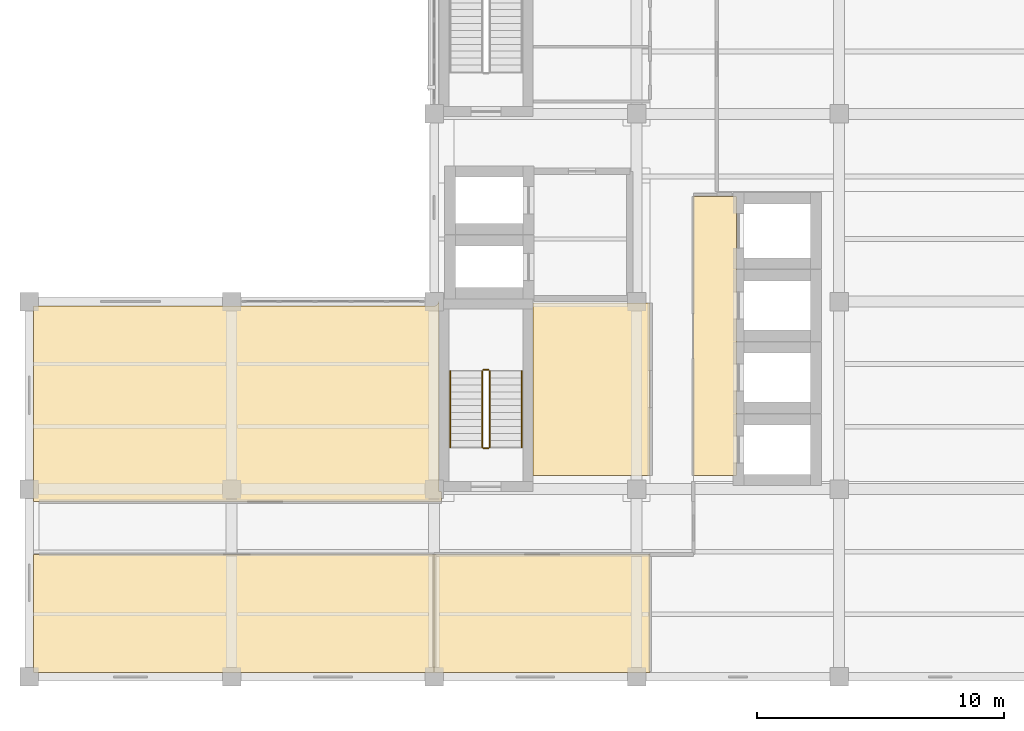
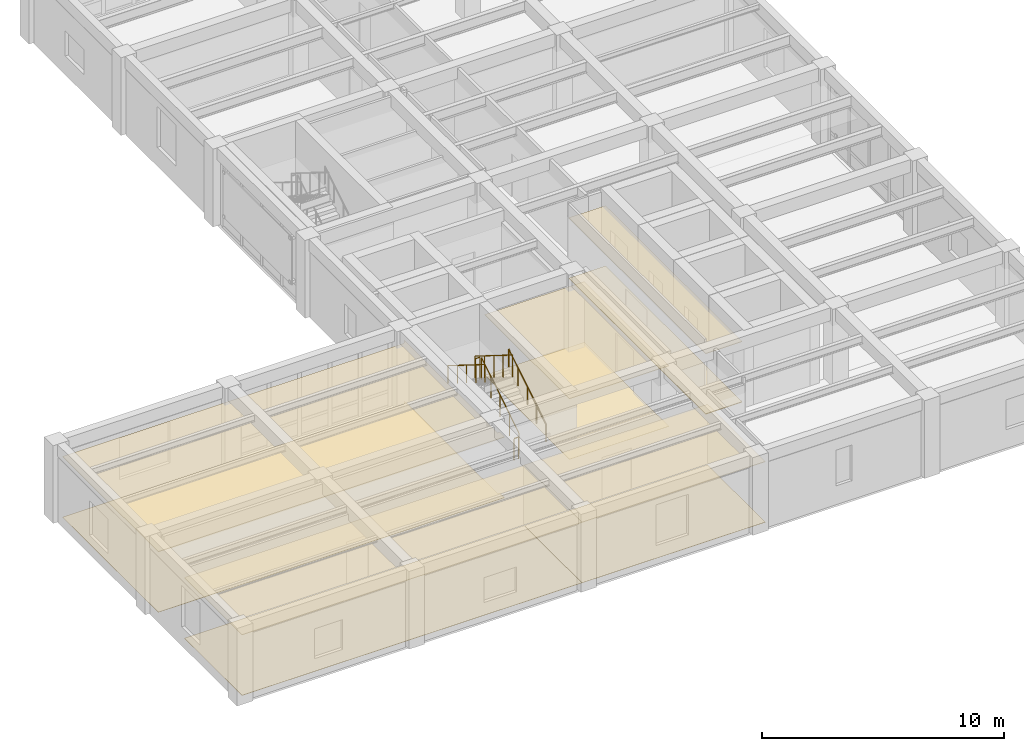
# One storey, part 10 of 13: 10 coverings, 6 railings.
"""IFC4 building model written with IfcOpenShell, lengths in metres."""

import ifcopenshell
import ifcopenshell.guid

model = None  # the IFC model being written
_history = None  # IfcOwnerHistory: only IFC2X3 demands one
_inside = {}  # id of a spatial element -> (the spatial element, [elements in it])
_under = {}  # id of a project, library or spatial element -> (it, [spatial elements below it])
_declared = {}  # id of a project -> (the project, [libraries it declares])
_typed = {}  # id of a type object -> (the type object, [elements of that type])
_made_of = {}  # id of a material, layer set ... -> (it, [elements and type objects made of it])


def new_model(schema):
    """Start an empty IFC model of exactly this schema.

    Asked for "IFC4X3", IfcOpenShell would pick the latest addendum, in which some entities
    have other attributes; the version numbers below select the first issue.
    IFC2X3 requires an IfcOwnerHistory on every rooted entity: one is made here for all.
    """
    global model, _history
    if schema == "IFC4X3":
        model = ifcopenshell.file(schema_version=(4, 3, 0, 0))
    else:
        model = ifcopenshell.file(schema=schema)
    _inside.clear()
    _under.clear()
    _declared.clear()
    _typed.clear()
    _made_of.clear()
    _history = None
    if model.schema == "IFC2X3":
        org = make("IfcOrganization", Name="unknown")
        user = make(
            "IfcPersonAndOrganization",
            ThePerson=make("IfcPerson", FamilyName="unknown"),
            TheOrganization=org,
        )
        app = make(
            "IfcApplication",
            ApplicationDeveloper=org,
            Version="unknown",
            ApplicationFullName="unknown",
            ApplicationIdentifier="unknown",
        )
        _history = make(
            "IfcOwnerHistory",
            OwningUser=user,
            OwningApplication=app,
            ChangeAction="ADDED",
            CreationDate=0,
        )
    return model


def make(cls, **values):
    """One entity of the class cls with the attributes given. An attribute that is None is left unset."""
    return model.create_entity(
        cls, **{name: value for name, value in values.items() if value is not None}
    )


def rooted(cls, **values):
    """An entity with a GlobalId (a new one), such as an element, a storey or a relation."""
    return make(cls, GlobalId=ifcopenshell.guid.new(), OwnerHistory=_history, **values)


def si_unit(unit_type, name, prefix=None):
    """IfcSIUnit, for example si_unit("LENGTHUNIT", "METRE", prefix="MILLI")."""
    return make("IfcSIUnit", UnitType=unit_type, Prefix=prefix, Name=name)


def assignment(units):
    """IfcUnitAssignment: the units of a project."""
    return None if units is None else make("IfcUnitAssignment", Units=units)


def point(xyz):
    """IfcCartesianPoint."""
    return None if xyz is None else make("IfcCartesianPoint", Coordinates=xyz)


def direction(xyz):
    """IfcDirection."""
    return None if xyz is None else make("IfcDirection", DirectionRatios=xyz)


def frame(location, z_axis=None, x_axis=None):
    """IfcAxis2Placement3D, a coordinate frame: its origin and axes. An axis left out is left unset."""
    return make(
        "IfcAxis2Placement3D",
        Location=point(location),
        Axis=direction(z_axis),
        RefDirection=direction(x_axis),
    )


def frame_2d(location, x_axis=None):
    """IfcAxis2Placement2D, a coordinate frame in the plane: its origin and x axis."""
    return make(
        "IfcAxis2Placement2D", Location=point(location), RefDirection=direction(x_axis)
    )


def origin():
    """The frame at (0, 0, 0) with its axes left unset."""
    return frame((0.0, 0.0, 0.0))


def origin_2d():
    """The frame at (0, 0) in the plane with its x axis left unset."""
    return frame_2d((0.0, 0.0))


def place(relative_to, where):
    """IfcLocalPlacement: puts the frame where relative to a parent placement (None: the world)."""
    return make(
        "IfcLocalPlacement", PlacementRelTo=relative_to, RelativePlacement=where
    )


def context(
    kind, dimensions, precision=None, world=None, true_north=None, identifier=None
):
    """IfcGeometricRepresentationContext, for example the 3D "Model" context."""
    return make(
        "IfcGeometricRepresentationContext",
        ContextIdentifier=identifier,
        ContextType=kind,
        CoordinateSpaceDimension=dimensions,
        Precision=precision,
        WorldCoordinateSystem=world,
        TrueNorth=true_north,
    )


def subcontext(parent, identifier, kind, view, scale=None):
    """IfcGeometricRepresentationSubContext, for example "Body" below "Model"."""
    return make(
        "IfcGeometricRepresentationSubContext",
        ContextIdentifier=identifier,
        ContextType=kind,
        ParentContext=parent,
        TargetScale=scale,
        TargetView=view,
    )


def project(units=None, contexts=None):
    """IfcProject with its units and contexts."""
    return rooted(
        "IfcProject",
        Name="project",
        RepresentationContexts=contexts,
        UnitsInContext=assignment(units),
    )


def spatial(cls, under=None, at=None, **own):
    """A site, building, storey or space (cls), placed at a placement, below another one or the project."""
    s = rooted(cls, ObjectPlacement=at, **own)
    if under is not None:
        _under.setdefault(under.id(), (under, []))[1].append(s)
    return s


def polyline(points):
    """IfcPolyline through the points."""
    return make("IfcPolyline", Points=[point(p) for p in points])


def profile(cls, at=None, kind="AREA", **sizes):
    """A parametric profile (cls). Its sizes go by their IFC names, for example OverallWidth=200.0."""
    return make(cls, ProfileType=kind, Position=at, **sizes)


def circle(**sizes):
    """IfcCircleProfileDef."""
    return profile("IfcCircleProfileDef", **sizes)


def outline(outer, holes=None, kind="AREA"):
    """IfcArbitraryClosedProfileDef: a profile drawn as a closed curve; with holes, ...WithVoids."""
    if holes is None:
        return make("IfcArbitraryClosedProfileDef", ProfileType=kind, OuterCurve=outer)
    return make(
        "IfcArbitraryProfileDefWithVoids",
        ProfileType=kind,
        OuterCurve=outer,
        InnerCurves=holes,
    )


def extrude(swept, where, along, depth):
    """IfcExtrudedAreaSolid: the profile swept, set in the frame where, extruded along a direction by depth."""
    return make(
        "IfcExtrudedAreaSolid",
        SweptArea=swept,
        Position=where,
        ExtrudedDirection=direction(along),
        Depth=depth,
    )


def shape(context_of_items, identifier, shape_type, items):
    """IfcShapeRepresentation: the items that make up one representation, for example the "Body"."""
    return make(
        "IfcShapeRepresentation",
        ContextOfItems=context_of_items,
        RepresentationIdentifier=identifier,
        RepresentationType=shape_type,
        Items=items,
    )


def material(Name=None, Category=None):
    """IfcMaterial."""
    return make("IfcMaterial", Name=Name, Category=Category)


def layer(
    of_material, thickness, ventilated=None, Name=None, Category=None, Priority=None
):
    """IfcMaterialLayer: one layer of a wall or slab, of a material (None: an air gap)."""
    return make(
        "IfcMaterialLayer",
        Material=of_material,
        LayerThickness=thickness,
        IsVentilated=ventilated,
        Name=Name,
        Category=Category,
        Priority=Priority,
    )


def layer_set(layers, Name=None):
    """IfcMaterialLayerSet."""
    return make("IfcMaterialLayerSet", MaterialLayers=layers, LayerSetName=Name)


def made_of(thing, what):
    """Note that an element or type object is made of a material, layer set ...; save() writes the relation."""
    if what is not None:
        _made_of.setdefault(what.id(), (what, []))[1].append(thing)
    return thing


def type_object(cls, material=None, **own):
    """A type object (cls), such as IfcWallType, which elements share."""
    return made_of(rooted(cls, **own), material)


def element(
    cls,
    number,
    at=None,
    inside=None,
    cuts=None,
    type_object=None,
    material=None,
    context=None,
    identifier="Body",
    shape_type=None,
    held_by="IfcProductDefinitionShape",
    body=None,
    shapes=None,
    **own,
):
    """One element of the class cls, such as IfcWall. Its Tag is "e" and its number.

    at: its placement. inside: the storey or other place that contains it. cuts: it is an
    opening in that element (IfcRelVoidsElement). A single representation is given by context,
    identifier, shape_type and body (its items); several are given by shapes. held_by: the class
    of the entity that holds the representations. save() writes the other relations.
    """
    e = rooted(cls, Tag="e%d" % number, ObjectPlacement=at, **own)
    if body is not None:
        shapes = [shape(context, identifier, shape_type, body)]
    if shapes is not None:
        e.Representation = make(held_by, Representations=shapes)
    if inside is not None:
        _inside.setdefault(inside.id(), (inside, []))[1].append(e)
    if cuts is not None:
        rooted(
            "IfcRelVoidsElement", RelatingBuildingElement=cuts, RelatedOpeningElement=e
        )
    if type_object is not None:
        _typed.setdefault(type_object.id(), (type_object, []))[1].append(e)
    return made_of(e, material)


def aggregate(whole, parts):
    """IfcRelAggregates: a whole, such as a stair, and the parts it consists of."""
    return rooted("IfcRelAggregates", RelatingObject=whole, RelatedObjects=parts)


def save(model, path):
    """Write the relations noted so far, then the file.

    IfcRelAggregates (storeys below a building ...), IfcRelContainedInSpatialStructure (elements
    in a storey), IfcRelDefinesByType, IfcRelAssociatesMaterial and IfcRelDeclares: one each for
    every whole, place, type object, material and project.
    """
    for whole, parts in _under.values():
        aggregate(whole, parts)
    for where, things in _inside.values():
        rooted(
            "IfcRelContainedInSpatialStructure",
            RelatedElements=things,
            RelatingStructure=where,
        )
    for kind, things in _typed.values():
        rooted("IfcRelDefinesByType", RelatedObjects=things, RelatingType=kind)
    for what, things in _made_of.values():
        rooted("IfcRelAssociatesMaterial", RelatedObjects=things, RelatingMaterial=what)
    for by, libraries in _declared.values():
        rooted("IfcRelDeclares", RelatingContext=by, RelatedDefinitions=libraries)
    model.write(path)


model = new_model("IFC4")

# Units and contexts
model_context = context("Model", 3, precision=1e-05, world=origin(), true_north=direction((0.0, 1.0)))
body_context = subcontext(model_context, "Body", "Model", "MODEL_VIEW")
ifc_project = project(units=[si_unit("LENGTHUNIT", "METRE"), si_unit("AREAUNIT", "SQUARE_METRE"), si_unit("VOLUMEUNIT", "CUBIC_METRE"), si_unit("PLANEANGLEUNIT", "RADIAN"), si_unit("MASSUNIT", "GRAM", prefix="KILO")], contexts=[model_context])

# Site, building, storey
site_placement = place(None, origin())
site = spatial("IfcSite", under=ifc_project, at=site_placement, CompositionType="ELEMENT")
building_placement = place(site_placement, origin())
building = spatial("IfcBuilding", under=site, at=building_placement, Name="Qandaris Square Conservatory and Botanical Centre", CompositionType="ELEMENT")
storey_placement = place(building_placement, frame((0.0, 0.0, 57.60009765625)))
storey = spatial("IfcBuildingStorey", under=building, at=storey_placement, Name="L13", CompositionType="ELEMENT", Elevation=57.60009765625)

# Coverings
ifc_material_1 = material(Name="Honed Qatari Limestone", Category="masonry")
ifc_layer_1 = layer(ifc_material_1, 0.030029296875)
ifc_layer_set_1 = layer_set([ifc_layer_1], Name="Honed Qatari Limestone")
covering_type_1 = type_object("IfcCoveringType", Name="Honed Qatari Limestone Concourse Paving", PredefinedType="FLOORING", material=ifc_layer_set_1)
covering_1_placement = place(storey_placement, origin())
element("IfcCovering", 1, at=covering_1_placement, inside=storey, type_object=covering_type_1, Name="Passenger Lift Lobby L13 Flooring", PredefinedType="FLOORING", context=body_context, shape_type="SweptSolid", body=[
    extrude(outline(polyline([(149.699951171875, 36.050048828125), (151.449951171875, 36.050048828125), (151.449951171875, 24.75), (149.699951171875, 24.75), (149.699951171875, 36.050048828125)])), origin(), (0.0, 0.0, 1.0), 0.02978515625),
])
ifc_material_2 = material(Name="Gypsum Plasterboard", Category="gypsum")
ifc_layer_2 = layer(ifc_material_2, 0.02490234375)
ifc_layer_set_2 = layer_set([ifc_layer_2], Name="Gypsum Plasterboard")
covering_type_2 = type_object("IfcCoveringType", Name="Perforated Acoustic Lab Ceiling Tile", PredefinedType="CEILING", material=ifc_layer_set_2)
covering_2_placement = place(storey_placement, frame((0.0, 0.0, 3.0498046875)))
element("IfcCovering", 2, at=covering_2_placement, inside=storey, type_object=covering_type_2, Name="Electrical and Telecom Riser Room L13 Ceiling", PredefinedType="CEILING", context=body_context, shape_type="SweptSolid", body=[
    extrude(outline(polyline([(147.949951171875, 31.75), (147.949951171875, 24.75), (143.199951171875, 24.75), (143.199951171875, 31.75), (147.949951171875, 31.75)])), origin(), (0.0, 0.0, 1.0), 0.025146484375),
])
covering_3_placement = place(storey_placement, frame((0.0, 0.0, 3.0498046875)))
element("IfcCovering", 3, at=covering_3_placement, inside=storey, type_object=covering_type_2, Name="Passenger Lift Lobby L13 Ceiling", PredefinedType="CEILING", context=body_context, shape_type="SweptSolid", body=[
    extrude(outline(polyline([(149.699951171875, 36.050048828125), (151.449951171875, 36.050048828125), (151.449951171875, 24.75), (149.699951171875, 24.75), (149.699951171875, 36.050048828125)])), origin(), (0.0, 0.0, 1.0), 0.025146484375),
])
covering_4_placement = place(storey_placement, frame((0.0, 0.0, 3.0498046875)))
element("IfcCovering", 4, at=covering_4_placement, inside=storey, type_object=covering_type_2, Name="Palaeobotany Pollen Research Laboratory Ceiling", PredefinedType="CEILING", context=body_context, shape_type="SweptSolid", body=[
    extrude(outline(polyline([(123.199951171875, 21.550048828125), (139.199951171875, 21.550048828125), (139.199951171875, 16.780029296875), (122.97998046875, 16.780029296875), (122.97998046875, 21.550048828125), (123.199951171875, 21.550048828125)])), origin(), (0.0, 0.0, 1.0), 0.025146484375),
])
covering_5_placement = place(storey_placement, frame((0.0, 0.0, 3.0498046875)))
element("IfcCovering", 5, at=covering_5_placement, inside=storey, type_object=covering_type_2, Name="Coastal Dune Flora Suite Ceiling", PredefinedType="CEILING", context=body_context, shape_type="SweptSolid", body=[
    extrude(outline(polyline([(147.949951171875, 21.550048828125), (147.949951171875, 16.780029296875), (139.199951171875, 16.780029296875), (139.199951171875, 21.550048828125), (147.949951171875, 21.550048828125)])), origin(), (0.0, 0.0, 1.0), 0.025146484375),
])
covering_6_placement = place(storey_placement, frame((0.0, 0.0, 3.0498046875)))
element("IfcCovering", 6, at=covering_6_placement, inside=storey, type_object=covering_type_2, Name="Climate Modelling Research Laboratory South Ceiling", PredefinedType="CEILING", context=body_context, shape_type="SweptSolid", body=[
    extrude(outline(polyline([(139.235107421875, 31.62353515625), (139.252197265625, 31.627685546875), (139.268798828125, 31.6337890625), (139.284912109375, 31.641357421875), (139.300048828125, 31.650390625), (139.314208984375, 31.660888671875), (139.327392578125, 31.672607421875), (139.339111328125, 31.685791015625), (139.349609375, 31.699951171875), (139.358642578125, 31.715087890625), (139.3662109375, 31.731201171875), (139.372314453125, 31.747802734375), (139.37646484375, 31.764892578125), (139.379150390625, 31.782470703125), (139.3798828125, 31.800048828125), (139.39990234375, 31.800048828125), (139.39990234375, 24.10009765625), (139.5, 24.10009765625), (139.5, 23.699951171875), (123.199951171875, 23.699951171875), (122.97998046875, 23.699951171875), (122.97998046875, 31.6201171875), (139.199951171875, 31.6201171875), (139.217529296875, 31.620849609375), (139.235107421875, 31.62353515625)])), origin(), (0.0, 0.0, 1.0), 0.025146484375),
])
ifc_material_3 = material(Name="Epoxy Resin Screed", Category="finish")
ifc_layer_3 = layer(ifc_material_3, 0.014892578125)
ifc_layer_set_3 = layer_set([ifc_layer_3], Name="Epoxy Resin Screed")
covering_type_3 = type_object("IfcCoveringType", Name="Seamless Epoxy Laboratory Flooring", PredefinedType="FLOORING", material=ifc_layer_set_3)
covering_7_placement = place(storey_placement, origin())
element("IfcCovering", 7, at=covering_7_placement, inside=storey, type_object=covering_type_3, Name="Electrical and Telecom Riser Room L13 Flooring", PredefinedType="FLOORING", context=body_context, shape_type="SweptSolid", body=[
    extrude(outline(polyline([(147.949951171875, 31.75), (147.949951171875, 24.75), (143.199951171875, 24.75), (143.199951171875, 31.75), (147.949951171875, 31.75)])), origin(), (0.0, 0.0, 1.0), 0.014892578125),
])
covering_8_placement = place(storey_placement, origin())
element("IfcCovering", 8, at=covering_8_placement, inside=storey, type_object=covering_type_3, Name="Palaeobotany Pollen Research Laboratory Flooring", PredefinedType="FLOORING", context=body_context, shape_type="SweptSolid", body=[
    extrude(outline(polyline([(123.199951171875, 21.550048828125), (139.199951171875, 21.550048828125), (139.199951171875, 16.780029296875), (122.97998046875, 16.780029296875), (122.97998046875, 21.550048828125), (123.199951171875, 21.550048828125)])), origin(), (0.0, 0.0, 1.0), 0.014892578125),
])
covering_9_placement = place(storey_placement, origin())
element("IfcCovering", 9, at=covering_9_placement, inside=storey, type_object=covering_type_3, Name="Coastal Dune Flora Suite Flooring", PredefinedType="FLOORING", context=body_context, shape_type="SweptSolid", body=[
    extrude(outline(polyline([(147.949951171875, 21.550048828125), (147.949951171875, 16.780029296875), (139.199951171875, 16.780029296875), (139.199951171875, 21.550048828125), (147.949951171875, 21.550048828125)])), origin(), (0.0, 0.0, 1.0), 0.014892578125),
])
covering_10_placement = place(storey_placement, origin())
element("IfcCovering", 10, at=covering_10_placement, inside=storey, type_object=covering_type_3, Name="Climate Modelling Research Laboratory South Flooring", PredefinedType="FLOORING", context=body_context, shape_type="SweptSolid", body=[
    extrude(outline(polyline([(139.235107421875, 31.62353515625), (139.252197265625, 31.627685546875), (139.268798828125, 31.6337890625), (139.284912109375, 31.641357421875), (139.300048828125, 31.650390625), (139.314208984375, 31.660888671875), (139.327392578125, 31.672607421875), (139.339111328125, 31.685791015625), (139.349609375, 31.699951171875), (139.358642578125, 31.715087890625), (139.3662109375, 31.731201171875), (139.372314453125, 31.747802734375), (139.37646484375, 31.764892578125), (139.379150390625, 31.782470703125), (139.3798828125, 31.800048828125), (139.39990234375, 31.800048828125), (139.39990234375, 24.10009765625), (139.5, 24.10009765625), (139.5, 23.699951171875), (123.199951171875, 23.699951171875), (122.97998046875, 23.699951171875), (122.97998046875, 31.6201171875), (139.199951171875, 31.6201171875), (139.217529296875, 31.620849609375), (139.235107421875, 31.62353515625)])), origin(), (0.0, 0.0, 1.0), 0.014892578125),
])

# Railings
ifc_material_4 = material(Name="Stainless Steel", Category="steel")
railing_type_1 = type_object("IfcRailingType", Name="Stair Tubular Handrail 920mm", PredefinedType="HANDRAIL", material=ifc_material_4)
railing_1_placement = place(storey_placement, frame((142.75, 25.89990234375, 0.349853515625)))
element("IfcRailing", 11, at=railing_1_placement, inside=storey, type_object=railing_type_1, Name="L13 ST-1 stair handrail 1", PredefinedType="HANDRAIL", context=body_context, shape_type="SweptSolid", body=[
    extrude(circle(Radius=0.02392578125, at=origin_2d()), frame((0.0, 0.0, 0.89599609375), z_axis=(0.0, 0.847998304005, 0.529998940003), x_axis=(-1.0, 0.0, 0.0)), (0.0, 0.0, 1.0), 3.632080078125),
    extrude(circle(Radius=0.02099609375, at=origin_2d()), origin(), (0.0, 0.0, 1.0), 0.871826171875),
    extrude(circle(Radius=0.02099609375, at=origin_2d()), frame((0.0, 0.77001953125, 0.481201171875)), (0.0, 0.0, 1.0), 0.871826171875),
    extrude(circle(Radius=0.02099609375, at=origin_2d()), frame((0.0, 1.5400390625, 0.96240234375)), (0.0, 0.0, 1.0), 0.871826171875),
    extrude(circle(Radius=0.02099609375, at=origin_2d()), frame((0.0, 2.31005859375, 1.44384765625)), (0.0, 0.0, 1.0), 0.871826171875),
    extrude(circle(Radius=0.02099609375, at=origin_2d()), frame((0.0, 3.080078125, 1.925048828125)), (0.0, 0.0, 1.0), 0.871826171875),
])
railing_2_placement = place(storey_placement, frame((139.85009765625, 28.97998046875, 2.449951171875)))
element("IfcRailing", 12, at=railing_2_placement, inside=storey, type_object=railing_type_1, Name="L13 ST-1 stair handrail 2", PredefinedType="HANDRAIL", context=body_context, shape_type="SweptSolid", body=[
    extrude(circle(Radius=0.02392578125, at=origin_2d()), frame((0.0, 0.0, 0.89599609375), z_axis=(0.0, -0.847998304005, 0.529998940003), x_axis=(1.0, 0.0, 0.0)), (0.0, 0.0, 1.0), 3.632080078125),
    extrude(circle(Radius=0.02099609375, at=origin_2d()), origin(), (0.0, 0.0, 1.0), 0.871826171875),
    extrude(circle(Radius=0.02099609375, at=origin_2d()), frame((0.0, -0.77001953125, 0.481201171875)), (0.0, 0.0, 1.0), 0.871826171875),
    extrude(circle(Radius=0.02099609375, at=origin_2d()), frame((0.0, -1.5400390625, 0.96240234375)), (0.0, 0.0, 1.0), 0.871826171875),
    extrude(circle(Radius=0.02099609375, at=origin_2d()), frame((0.0, -2.31005859375, 1.44384765625)), (0.0, 0.0, 1.0), 0.871826171875),
    extrude(circle(Radius=0.02099609375, at=origin_2d()), frame((0.0, -3.080078125, 1.925048828125)), (0.0, 0.0, 1.0), 0.871826171875),
])
railing_type_2 = type_object("IfcRailingType", Name="Stairwell & Atrium Guardrail 1120mm", PredefinedType="GUARDRAIL", material=ifc_material_4)
railing_3_placement = place(storey_placement, frame((141.449951171875, 25.89990234375, 0.1748046875)))
element("IfcRailing", 13, at=railing_3_placement, inside=storey, type_object=railing_type_2, Name="L13 ST-1 stair guard 1", PredefinedType="GUARDRAIL", context=body_context, shape_type="SweptSolid", body=[
    extrude(circle(Radius=0.02392578125, at=origin_2d()), frame((0.0, 0.0, 1.09619140625), z_axis=(0.0, 0.847998304005, 0.529998940003), x_axis=(-1.0, 0.0, 0.0)), (0.0, 0.0, 1.0), 3.632080078125),
    extrude(circle(Radius=0.02099609375, at=origin_2d()), origin(), (0.0, 0.0, 1.0), 1.072021484375),
    extrude(circle(Radius=0.02099609375, at=origin_2d()), frame((0.0, 0.77001953125, 0.481201171875)), (0.0, 0.0, 1.0), 1.072021484375),
    extrude(circle(Radius=0.02099609375, at=origin_2d()), frame((0.0, 1.5400390625, 0.96240234375)), (0.0, 0.0, 1.0), 1.072021484375),
    extrude(circle(Radius=0.02099609375, at=origin_2d()), frame((0.0, 2.31005859375, 1.44384765625)), (0.0, 0.0, 1.0), 1.072021484375),
    extrude(circle(Radius=0.02099609375, at=origin_2d()), frame((0.0, 3.080078125, 1.925048828125)), (0.0, 0.0, 1.0), 1.072021484375),
])
railing_4_placement = place(storey_placement, frame((141.39990234375, 29.030029296875, 2.099853515625)))
element("IfcRailing", 14, at=railing_4_placement, inside=storey, type_object=railing_type_2, Name="L13 ST-1 stair guard 2", PredefinedType="GUARDRAIL", context=body_context, shape_type="SweptSolid", body=[
    extrude(circle(Radius=0.02392578125, at=origin_2d()), frame((0.0, 0.0, 1.09619140625), z_axis=(-1.0, 0.0, 0.0), x_axis=(0.0, -1.0, 0.0)), (0.0, 0.0, 1.0), 0.199951171875),
    extrude(circle(Radius=0.02099609375, at=origin_2d()), origin(), (0.0, 0.0, 1.0), 1.072021484375),
    extrude(circle(Radius=0.02099609375, at=origin_2d()), frame((-0.199951171875, 0.0, 0.0)), (0.0, 0.0, 1.0), 1.072021484375),
])
railing_5_placement = place(storey_placement, frame((141.14990234375, 28.97998046875, 2.27490234375)))
element("IfcRailing", 15, at=railing_5_placement, inside=storey, type_object=railing_type_2, Name="L13 ST-1 stair guard 3", PredefinedType="GUARDRAIL", context=body_context, shape_type="SweptSolid", body=[
    extrude(circle(Radius=0.02392578125, at=origin_2d()), frame((0.0, 0.0, 1.09619140625), z_axis=(0.0, -0.847998304005, 0.529998940003), x_axis=(1.0, 0.0, 0.0)), (0.0, 0.0, 1.0), 3.632080078125),
    extrude(circle(Radius=0.02099609375, at=origin_2d()), origin(), (0.0, 0.0, 1.0), 1.072021484375),
    extrude(circle(Radius=0.02099609375, at=origin_2d()), frame((0.0, -0.77001953125, 0.481201171875)), (0.0, 0.0, 1.0), 1.072021484375),
    extrude(circle(Radius=0.02099609375, at=origin_2d()), frame((0.0, -1.5400390625, 0.96240234375)), (0.0, 0.0, 1.0), 1.072021484375),
    extrude(circle(Radius=0.02099609375, at=origin_2d()), frame((0.0, -2.31005859375, 1.44384765625)), (0.0, 0.0, 1.0), 1.072021484375),
    extrude(circle(Radius=0.02099609375, at=origin_2d()), frame((0.0, -3.080078125, 1.925048828125)), (0.0, 0.0, 1.0), 1.072021484375),
])
railing_6_placement = place(storey_placement, frame((141.39990234375, 25.85009765625, 0.0)))
element("IfcRailing", 16, at=railing_6_placement, inside=storey, type_object=railing_type_2, Name="L13 ST-1 stair guard 4", PredefinedType="GUARDRAIL", context=body_context, shape_type="SweptSolid", body=[
    extrude(circle(Radius=0.02392578125, at=origin_2d()), frame((0.0, 0.0, 1.09619140625), z_axis=(-1.0, 0.0, 0.0), x_axis=(0.0, -1.0, 0.0)), (0.0, 0.0, 1.0), 0.199951171875),
    extrude(circle(Radius=0.02099609375, at=origin_2d()), origin(), (0.0, 0.0, 1.0), 1.072021484375),
    extrude(circle(Radius=0.02099609375, at=origin_2d()), frame((-0.199951171875, 0.0, 0.0)), (0.0, 0.0, 1.0), 1.072021484375),
])

save(model, "model.ifc")
